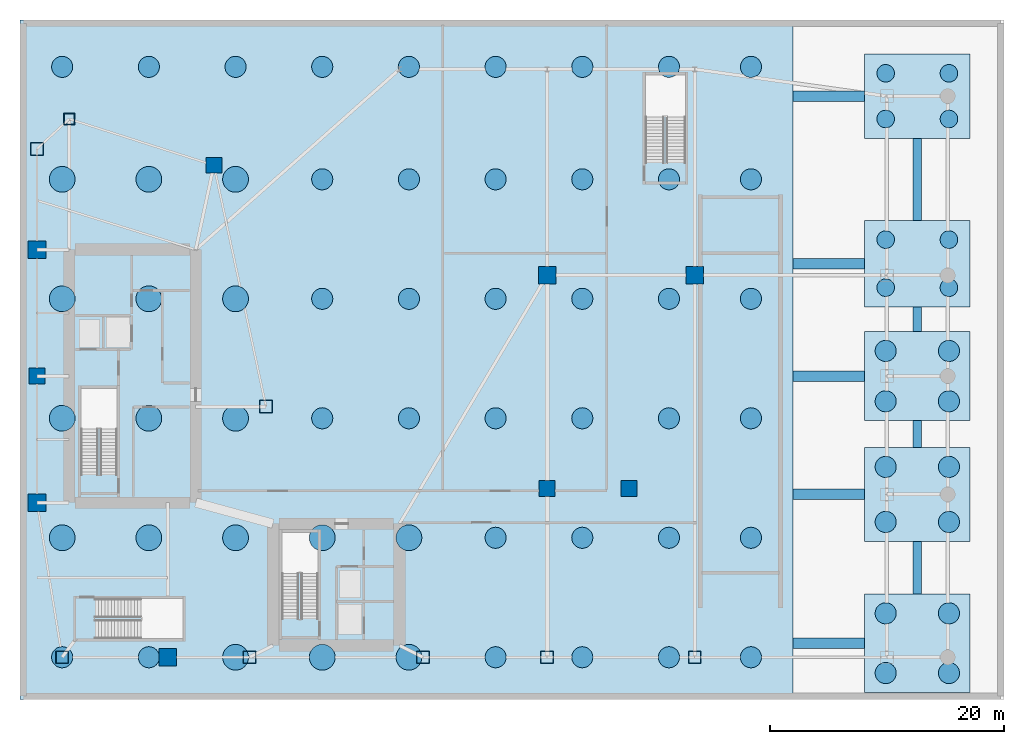
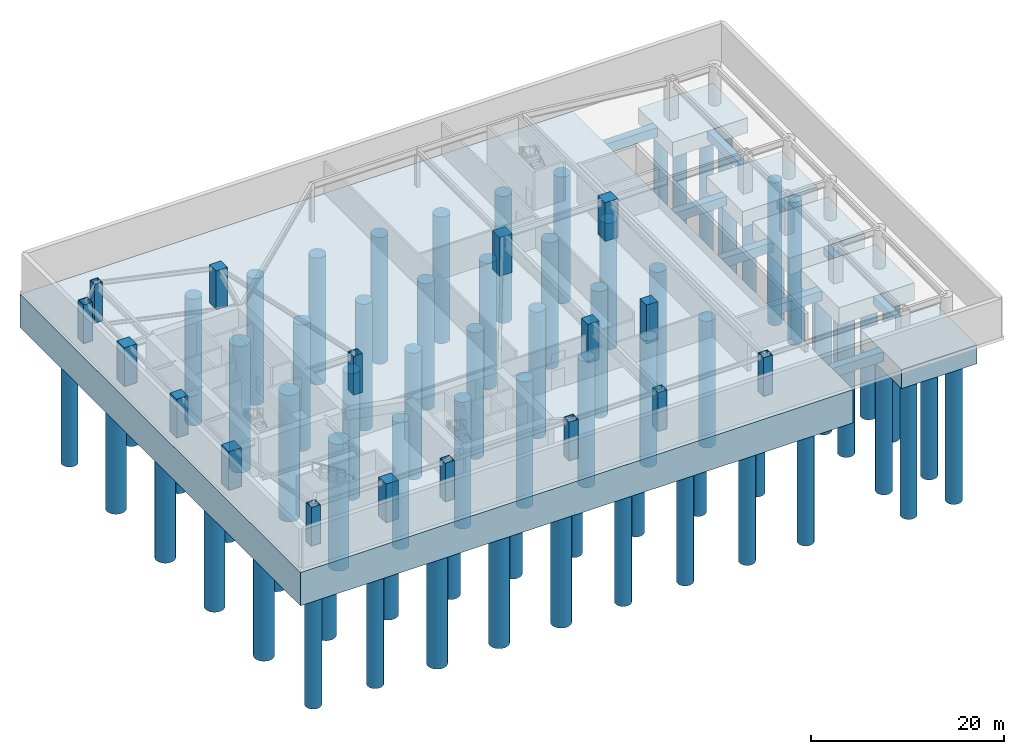
# One storey, part 1 of 12: 74 piles, 17 columns, 15 footings.
"""IFC4 building model written with IfcOpenShell, lengths in metres."""

from ifc_helpers import new_model, si_unit, direction, frame, origin, origin_2d, place, context, subcontext, project, spatial, polyline, rectangle, hollow_rectangle, circle, outline, extrude, material, material_profile, profile_set, type_object, element, save


model = new_model("IFC4")

# Units and contexts
model_context = context("Model", 3, precision=1e-05, world=origin(), true_north=direction((0.0, 1.0)))
body_context = subcontext(model_context, "Body", "Model", "MODEL_VIEW")
ifc_project = project(units=[si_unit("LENGTHUNIT", "METRE"), si_unit("AREAUNIT", "SQUARE_METRE"), si_unit("VOLUMEUNIT", "CUBIC_METRE"), si_unit("PLANEANGLEUNIT", "RADIAN"), si_unit("MASSUNIT", "GRAM", prefix="KILO")], contexts=[model_context])

# Site, building, storey
site_placement = place(None, origin())
site = spatial("IfcSite", under=ifc_project, at=site_placement, CompositionType="ELEMENT")
building_placement = place(site_placement, origin())
building = spatial("IfcBuilding", under=site, at=building_placement, Name="Calvorn Quay Hotel", CompositionType="ELEMENT")
storey_placement = place(building_placement, frame((0.0, 0.0, -10.39990234375)))
storey = spatial("IfcBuildingStorey", under=building, at=storey_placement, Name="B2", CompositionType="ELEMENT", Elevation=-10.39990234375)

# Footings
ifc_material_1 = material(Name="Concrete C45", Category="concrete")
ifc_material_profile_1 = material_profile(ifc_material_1, rectangle(XDim=0.75, YDim=1.0, at=origin_2d()), Name="FTB750x1000")
ifc_profile_set_1 = profile_set([ifc_material_profile_1], Name="Concrete C45")
footing_type_1 = type_object("IfcFootingType", Name="FT-BEAM-750x1000", PredefinedType="FOOTING_BEAM", material=ifc_profile_set_1)
footing_1_placement = place(storey_placement, frame((76.60009765625, 9.0, -0.900146484375), z_axis=(0.0, 1.0, 0.0), x_axis=(-1.0, 0.0, 0.0)))
element("IfcFooting", 1, at=footing_1_placement, inside=storey, type_object=footing_type_1, Name="Foundation Tie Beam FTB-06", PredefinedType="FOOTING_BEAM", context=body_context, shape_type="SweptSolid", body=[
    extrude(rectangle(XDim=0.75, YDim=1.0, at=origin_2d()), origin(), (0.0, 0.0, 1.0), 4.5),
])
footing_2_placement = place(storey_placement, frame((76.60009765625, 21.5, -0.900146484375), z_axis=(0.0, 1.0, 0.0), x_axis=(-1.0, 0.0, 0.0)))
element("IfcFooting", 2, at=footing_2_placement, inside=storey, type_object=footing_type_1, Name="Foundation Tie Beam FTB-07", PredefinedType="FOOTING_BEAM", context=body_context, shape_type="SweptSolid", body=[
    extrude(rectangle(XDim=0.75, YDim=1.0, at=origin_2d()), origin(), (0.0, 0.0, 1.0), 2.300048828125),
])
footing_3_placement = place(storey_placement, frame((76.60009765625, 31.39990234375, -0.900146484375), z_axis=(0.0, 1.0, 0.0), x_axis=(-1.0, 0.0, 0.0)))
element("IfcFooting", 3, at=footing_3_placement, inside=storey, type_object=footing_type_1, Name="Foundation Tie Beam FTB-08", PredefinedType="FOOTING_BEAM", context=body_context, shape_type="SweptSolid", body=[
    extrude(rectangle(XDim=0.75, YDim=1.0, at=origin_2d()), origin(), (0.0, 0.0, 1.0), 2.10009765625),
])
footing_4_placement = place(storey_placement, frame((76.60009765625, 40.89990234375, -0.900146484375), z_axis=(0.0, 1.0, 0.0), x_axis=(-1.0, 0.0, 0.0)))
element("IfcFooting", 4, at=footing_4_placement, inside=storey, type_object=footing_type_1, Name="Foundation Tie Beam FTB-09", PredefinedType="FOOTING_BEAM", context=body_context, shape_type="SweptSolid", body=[
    extrude(rectangle(XDim=0.75, YDim=1.0, at=origin_2d()), origin(), (0.0, 0.0, 1.0), 7.0),
])
ifc_material_2 = material(Name="Concrete C45", Category="concrete")
ifc_material_profile_2 = material_profile(ifc_material_2, rectangle(XDim=0.89990234375, YDim=1.199951171875, at=origin_2d()), Name="FTB900x1200")
ifc_profile_set_2 = profile_set([ifc_material_profile_2], Name="Concrete C45")
footing_type_2 = type_object("IfcFootingType", Name="FT-BEAM-900x1200", PredefinedType="FOOTING_BEAM", material=ifc_profile_set_2)
for number, where, z_axis, x_axis, name in (
    (5, (66.0, 4.800048828125, -1.0), (1.0, 0.0, 0.0), (0.0, 1.0, 0.0), "Foundation Tie Beam FTB-01"),
    (6, (66.0, 17.5, -1.0), (1.0, 0.0, 0.0), (0.0, 1.0, 0.0), "Foundation Tie Beam FTB-02"),
    (7, (66.0, 27.60009765625, -1.0), (1.0, 0.0, 0.0), (0.0, 1.0, 0.0), "Foundation Tie Beam FTB-03"),
    (8, (66.0, 37.199951171875, -1.0), (1.0, 0.0, 0.0), (0.0, 1.0, 0.0), "Foundation Tie Beam FTB-04"),
    (9, (66.0, 51.5, -1.0), (1.0, 0.0, 0.0), (0.0, 1.0, 0.0), "Foundation Tie Beam FTB-05"),
):
    element("IfcFooting", number, at=place(storey_placement, frame(where, z_axis=z_axis, x_axis=x_axis)), inside=storey, type_object=footing_type_2, Name=name, PredefinedType="FOOTING_BEAM", context=body_context, shape_type="SweptSolid", body=[
        extrude(rectangle(XDim=0.89990234375, YDim=1.199951171875, at=origin_2d()), origin(), (0.0, 0.0, 1.0), 6.10009765625),
    ])
ifc_material_3 = material(Name="Concrete C45", Category="concrete")
footing_type_3 = type_object("IfcFootingType", Name="FT-MAT-TWR", PredefinedType="PILE_CAP", material=ifc_material_3)
footing_5_placement = place(storey_placement, frame((0.0, 0.0, -4.60009765625)))
element("IfcFooting", 10, at=footing_5_placement, inside=storey, type_object=footing_type_3, Name="Tower Piled-Raft Foundation Mat", PredefinedType="PILE_CAP", context=body_context, shape_type="SweptSolid", body=[
    extrude(outline(polyline([(0.0, 0.0), (66.0, 0.0), (66.0, 58.0), (0.0, 58.0), (0.0, 0.0)])), origin(), (0.0, 0.0, 1.0), 4.199951171875),
])
ifc_material_4 = material(Name="Concrete C45", Category="concrete")
footing_type_4 = type_object("IfcFootingType", Name="FT-PC-POD1", PredefinedType="PILE_CAP", material=ifc_material_4)
footing_6_placement = place(storey_placement, frame((76.60009765625, 4.800048828125, -2.800048828125), z_axis=(0.0, 0.0, 1.0), x_axis=(1.0, 0.0, 0.0)))
element("IfcFooting", 11, at=footing_6_placement, inside=storey, type_object=footing_type_4, Name="Podium Pile Cap FPC1", PredefinedType="PILE_CAP", context=body_context, shape_type="SweptSolid", body=[
    extrude(rectangle(XDim=9.0, YDim=8.39990234375, at=origin_2d()), origin(), (0.0, 0.0, 1.0), 2.39990234375),
])
ifc_material_5 = material(Name="Concrete C45", Category="concrete")
footing_type_5 = type_object("IfcFootingType", Name="FT-PC-POD2", PredefinedType="PILE_CAP", material=ifc_material_5)
footing_7_placement = place(storey_placement, frame((76.60009765625, 17.5, -2.60009765625), z_axis=(0.0, 0.0, 1.0), x_axis=(1.0, 0.0, 0.0)))
element("IfcFooting", 12, at=footing_7_placement, inside=storey, type_object=footing_type_5, Name="Podium Pile Cap FPC2", PredefinedType="PILE_CAP", context=body_context, shape_type="SweptSolid", body=[
    extrude(rectangle(XDim=9.0, YDim=8.0, at=origin_2d()), origin(), (0.0, 0.0, 1.0), 2.199951171875),
])
ifc_material_6 = material(Name="Concrete C45", Category="concrete")
footing_type_6 = type_object("IfcFootingType", Name="FT-PC-POD3", PredefinedType="PILE_CAP", material=ifc_material_6)
footing_8_placement = place(storey_placement, frame((76.60009765625, 27.60009765625, -2.500244140625), z_axis=(0.0, 0.0, 1.0), x_axis=(1.0, 0.0, 0.0)))
element("IfcFooting", 13, at=footing_8_placement, inside=storey, type_object=footing_type_6, Name="Podium Pile Cap FPC3", PredefinedType="PILE_CAP", context=body_context, shape_type="SweptSolid", body=[
    extrude(rectangle(XDim=9.0, YDim=7.60009765625, at=origin_2d()), origin(), (0.0, 0.0, 1.0), 2.10009765625),
])
ifc_material_7 = material(Name="Concrete C45", Category="concrete")
footing_type_7 = type_object("IfcFootingType", Name="FT-PC-POD4", PredefinedType="PILE_CAP", material=ifc_material_7)
footing_9_placement = place(storey_placement, frame((76.60009765625, 37.199951171875, -2.400146484375), z_axis=(0.0, 0.0, 1.0), x_axis=(1.0, 0.0, 0.0)))
element("IfcFooting", 14, at=footing_9_placement, inside=storey, type_object=footing_type_7, Name="Podium Pile Cap FPC4", PredefinedType="PILE_CAP", context=body_context, shape_type="SweptSolid", body=[
    extrude(rectangle(XDim=9.0, YDim=7.39990234375, at=origin_2d()), origin(), (0.0, 0.0, 1.0), 2.0),
])
ifc_material_8 = material(Name="Concrete C45", Category="concrete")
footing_type_8 = type_object("IfcFootingType", Name="FT-PC-POD5", PredefinedType="PILE_CAP", material=ifc_material_8)
footing_10_placement = place(storey_placement, frame((76.60009765625, 51.5, -2.300048828125), z_axis=(0.0, 0.0, 1.0), x_axis=(1.0, 0.0, 0.0)))
element("IfcFooting", 15, at=footing_10_placement, inside=storey, type_object=footing_type_8, Name="Podium Pile Cap FPC5", PredefinedType="PILE_CAP", context=body_context, shape_type="SweptSolid", body=[
    extrude(rectangle(XDim=9.0, YDim=7.199951171875, at=origin_2d()), origin(), (0.0, 0.0, 1.0), 1.89990234375),
])

# Piles
ifc_material_9 = material(Name="Concrete C45", Category="concrete")
ifc_material_profile_3 = material_profile(ifc_material_9, circle(Radius=0.75, at=origin_2d()), Name="PILE-D1500")
ifc_profile_set_3 = profile_set([ifc_material_profile_3], Name="Concrete C45")
pile_type_1 = type_object("IfcPileType", Name="PILE-BORED-D1500", PredefinedType="BORED", material=ifc_profile_set_3)
for number, where, z_axis, x_axis, name in (
    (16, (73.89990234375, 35.14990234375, -2.25), (0.0, 0.0, -1.0), (1.0, 0.0, 0.0), "Podium Bored Pile P-P13"),
    (17, (73.89990234375, 39.25, -2.25), (0.0, 0.0, -1.0), (1.0, 0.0, 0.0), "Podium Bored Pile P-P14"),
    (18, (79.300048828125, 35.14990234375, -2.25), (0.0, 0.0, -1.0), (1.0, 0.0, 0.0), "Podium Bored Pile P-P15"),
    (19, (79.300048828125, 39.25, -2.25), (0.0, 0.0, -1.0), (1.0, 0.0, 0.0), "Podium Bored Pile P-P16"),
):
    element("IfcPile", number, at=place(storey_placement, frame(where, z_axis=z_axis, x_axis=x_axis)), inside=storey, type_object=pile_type_1, Name=name, PredefinedType="BORED", context=body_context, shape_type="SweptSolid", body=[
        extrude(circle(Radius=0.75, at=origin_2d()), origin(), (0.0, 0.0, 1.0), 18.050048828125),
    ])
for number, where, z_axis, x_axis, name in (
    (20, (73.89990234375, 49.550048828125, -2.150146484375), (0.0, 0.0, -1.0), (1.0, 0.0, 0.0), "Podium Bored Pile P-P17"),
    (21, (73.89990234375, 53.449951171875, -2.150146484375), (0.0, 0.0, -1.0), (1.0, 0.0, 0.0), "Podium Bored Pile P-P18"),
    (22, (79.300048828125, 49.550048828125, -2.150146484375), (0.0, 0.0, -1.0), (1.0, 0.0, 0.0), "Podium Bored Pile P-P19"),
    (23, (79.300048828125, 53.449951171875, -2.150146484375), (0.0, 0.0, -1.0), (1.0, 0.0, 0.0), "Podium Bored Pile P-P20"),
):
    element("IfcPile", number, at=place(storey_placement, frame(where, z_axis=z_axis, x_axis=x_axis)), inside=storey, type_object=pile_type_1, Name=name, PredefinedType="BORED", context=body_context, shape_type="SweptSolid", body=[
        extrude(circle(Radius=0.75, at=origin_2d()), origin(), (0.0, 0.0, 1.0), 18.14990234375),
    ])
ifc_material_10 = material(Name="Concrete C45", Category="concrete")
ifc_material_profile_4 = material_profile(ifc_material_10, circle(Radius=0.89990234375, at=origin_2d()), Name="PILE-D1800")
ifc_profile_set_4 = profile_set([ifc_material_profile_4], Name="Concrete C45")
pile_type_2 = type_object("IfcPileType", Name="PILE-BORED-D1800", PredefinedType="BORED", material=ifc_profile_set_4)
for number, where, z_axis, x_axis, name in (
    (24, (3.60009765625, 3.60009765625, -4.4501953125), (0.0, 0.0, -1.0), (1.0, 0.0, 0.0), "Rock-Socketed Bored Pile P-T01"),
    (25, (3.60009765625, 54.0, -4.4501953125), (0.0, 0.0, -1.0), (1.0, 0.0, 0.0), "Rock-Socketed Bored Pile P-T06"),
    (26, (11.0, 3.60009765625, -4.4501953125), (0.0, 0.0, -1.0), (1.0, 0.0, 0.0), "Rock-Socketed Bored Pile P-T07"),
    (27, (11.0, 54.0, -4.4501953125), (0.0, 0.0, -1.0), (1.0, 0.0, 0.0), "Rock-Socketed Bored Pile P-T12"),
    (28, (18.39990234375, 54.0, -4.4501953125), (0.0, 0.0, -1.0), (1.0, 0.0, 0.0), "Rock-Socketed Bored Pile P-T18"),
    (29, (25.800048828125, 24.0, -4.4501953125), (0.0, 0.0, -1.0), (1.0, 0.0, 0.0), "Rock-Socketed Bored Pile P-T21"),
    (30, (25.800048828125, 34.199951171875, -4.4501953125), (0.0, 0.0, -1.0), (1.0, 0.0, 0.0), "Rock-Socketed Bored Pile P-T22"),
    (31, (25.800048828125, 44.39990234375, -4.4501953125), (0.0, 0.0, -1.0), (1.0, 0.0, 0.0), "Rock-Socketed Bored Pile P-T23"),
    (32, (25.800048828125, 54.0, -4.4501953125), (0.0, 0.0, -1.0), (1.0, 0.0, 0.0), "Rock-Socketed Bored Pile P-T24"),
    (33, (33.199951171875, 24.0, -4.4501953125), (0.0, 0.0, -1.0), (1.0, 0.0, 0.0), "Rock-Socketed Bored Pile P-T27"),
    (34, (33.199951171875, 34.199951171875, -4.4501953125), (0.0, 0.0, -1.0), (1.0, 0.0, 0.0), "Rock-Socketed Bored Pile P-T28"),
    (35, (33.199951171875, 44.39990234375, -4.4501953125), (0.0, 0.0, -1.0), (1.0, 0.0, 0.0), "Rock-Socketed Bored Pile P-T29"),
    (36, (33.199951171875, 54.0, -4.4501953125), (0.0, 0.0, -1.0), (1.0, 0.0, 0.0), "Rock-Socketed Bored Pile P-T30"),
    (37, (40.60009765625, 3.60009765625, -4.4501953125), (0.0, 0.0, -1.0), (1.0, 0.0, 0.0), "Rock-Socketed Bored Pile P-T31"),
    (38, (40.60009765625, 13.800048828125, -4.4501953125), (0.0, 0.0, -1.0), (1.0, 0.0, 0.0), "Rock-Socketed Bored Pile P-T32"),
    (39, (40.60009765625, 24.0, -4.4501953125), (0.0, 0.0, -1.0), (1.0, 0.0, 0.0), "Rock-Socketed Bored Pile P-T33"),
    (40, (40.60009765625, 34.199951171875, -4.4501953125), (0.0, 0.0, -1.0), (1.0, 0.0, 0.0), "Rock-Socketed Bored Pile P-T34"),
    (41, (40.60009765625, 44.39990234375, -4.4501953125), (0.0, 0.0, -1.0), (1.0, 0.0, 0.0), "Rock-Socketed Bored Pile P-T35"),
    (42, (40.60009765625, 54.0, -4.4501953125), (0.0, 0.0, -1.0), (1.0, 0.0, 0.0), "Rock-Socketed Bored Pile P-T36"),
    (43, (48.0, 3.60009765625, -4.4501953125), (0.0, 0.0, -1.0), (1.0, 0.0, 0.0), "Rock-Socketed Bored Pile P-T37"),
    (44, (48.0, 13.800048828125, -4.4501953125), (0.0, 0.0, -1.0), (1.0, 0.0, 0.0), "Rock-Socketed Bored Pile P-T38"),
    (45, (48.0, 24.0, -4.4501953125), (0.0, 0.0, -1.0), (1.0, 0.0, 0.0), "Rock-Socketed Bored Pile P-T39"),
    (46, (48.0, 34.199951171875, -4.4501953125), (0.0, 0.0, -1.0), (1.0, 0.0, 0.0), "Rock-Socketed Bored Pile P-T40"),
    (47, (48.0, 44.39990234375, -4.4501953125), (0.0, 0.0, -1.0), (1.0, 0.0, 0.0), "Rock-Socketed Bored Pile P-T41"),
    (48, (48.0, 54.0, -4.4501953125), (0.0, 0.0, -1.0), (1.0, 0.0, 0.0), "Rock-Socketed Bored Pile P-T42"),
    (49, (55.39990234375, 3.60009765625, -4.4501953125), (0.0, 0.0, -1.0), (1.0, 0.0, 0.0), "Rock-Socketed Bored Pile P-T43"),
    (50, (55.39990234375, 13.800048828125, -4.4501953125), (0.0, 0.0, -1.0), (1.0, 0.0, 0.0), "Rock-Socketed Bored Pile P-T44"),
    (51, (55.39990234375, 24.0, -4.4501953125), (0.0, 0.0, -1.0), (1.0, 0.0, 0.0), "Rock-Socketed Bored Pile P-T45"),
    (52, (55.39990234375, 34.199951171875, -4.4501953125), (0.0, 0.0, -1.0), (1.0, 0.0, 0.0), "Rock-Socketed Bored Pile P-T46"),
    (53, (55.39990234375, 44.39990234375, -4.4501953125), (0.0, 0.0, -1.0), (1.0, 0.0, 0.0), "Rock-Socketed Bored Pile P-T47"),
    (54, (55.39990234375, 54.0, -4.4501953125), (0.0, 0.0, -1.0), (1.0, 0.0, 0.0), "Rock-Socketed Bored Pile P-T48"),
    (55, (62.39990234375, 3.60009765625, -4.4501953125), (0.0, 0.0, -1.0), (1.0, 0.0, 0.0), "Rock-Socketed Bored Pile P-T49"),
    (56, (62.39990234375, 13.800048828125, -4.4501953125), (0.0, 0.0, -1.0), (1.0, 0.0, 0.0), "Rock-Socketed Bored Pile P-T50"),
    (57, (62.39990234375, 24.0, -4.4501953125), (0.0, 0.0, -1.0), (1.0, 0.0, 0.0), "Rock-Socketed Bored Pile P-T51"),
    (58, (62.39990234375, 34.199951171875, -4.4501953125), (0.0, 0.0, -1.0), (1.0, 0.0, 0.0), "Rock-Socketed Bored Pile P-T52"),
    (59, (62.39990234375, 44.39990234375, -4.4501953125), (0.0, 0.0, -1.0), (1.0, 0.0, 0.0), "Rock-Socketed Bored Pile P-T53"),
    (60, (62.39990234375, 54.0, -4.4501953125), (0.0, 0.0, -1.0), (1.0, 0.0, 0.0), "Rock-Socketed Bored Pile P-T54"),
):
    element("IfcPile", number, at=place(storey_placement, frame(where, z_axis=z_axis, x_axis=x_axis)), inside=storey, type_object=pile_type_2, Name=name, PredefinedType="BORED", context=body_context, shape_type="SweptSolid", body=[
        extrude(circle(Radius=0.89990234375, at=origin_2d()), origin(), (0.0, 0.0, 1.0), 16.0),
    ])
for number, where, z_axis, x_axis, name in (
    (61, (73.89990234375, 2.25, -2.650146484375), (0.0, 0.0, -1.0), (1.0, 0.0, 0.0), "Podium Bored Pile P-P01"),
    (62, (73.89990234375, 7.35009765625, -2.650146484375), (0.0, 0.0, -1.0), (1.0, 0.0, 0.0), "Podium Bored Pile P-P02"),
    (63, (79.300048828125, 2.25, -2.650146484375), (0.0, 0.0, -1.0), (1.0, 0.0, 0.0), "Podium Bored Pile P-P03"),
    (64, (79.300048828125, 7.35009765625, -2.650146484375), (0.0, 0.0, -1.0), (1.0, 0.0, 0.0), "Podium Bored Pile P-P04"),
):
    element("IfcPile", number, at=place(storey_placement, frame(where, z_axis=z_axis, x_axis=x_axis)), inside=storey, type_object=pile_type_2, Name=name, PredefinedType="BORED", context=body_context, shape_type="SweptSolid", body=[
        extrude(circle(Radius=0.89990234375, at=origin_2d()), origin(), (0.0, 0.0, 1.0), 17.64990234375),
    ])
for number, where, z_axis, x_axis, name in (
    (65, (73.89990234375, 15.14990234375, -2.4501953125), (0.0, 0.0, -1.0), (1.0, 0.0, 0.0), "Podium Bored Pile P-P05"),
    (66, (73.89990234375, 19.85009765625, -2.4501953125), (0.0, 0.0, -1.0), (1.0, 0.0, 0.0), "Podium Bored Pile P-P06"),
    (67, (79.300048828125, 15.14990234375, -2.4501953125), (0.0, 0.0, -1.0), (1.0, 0.0, 0.0), "Podium Bored Pile P-P07"),
    (68, (79.300048828125, 19.85009765625, -2.4501953125), (0.0, 0.0, -1.0), (1.0, 0.0, 0.0), "Podium Bored Pile P-P08"),
):
    element("IfcPile", number, at=place(storey_placement, frame(where, z_axis=z_axis, x_axis=x_axis)), inside=storey, type_object=pile_type_2, Name=name, PredefinedType="BORED", context=body_context, shape_type="SweptSolid", body=[
        extrude(circle(Radius=0.89990234375, at=origin_2d()), origin(), (0.0, 0.0, 1.0), 17.85009765625),
    ])
for number, where, z_axis, x_axis, name in (
    (69, (73.89990234375, 25.449951171875, -2.35009765625), (0.0, 0.0, -1.0), (1.0, 0.0, 0.0), "Podium Bored Pile P-P09"),
    (70, (73.89990234375, 29.75, -2.35009765625), (0.0, 0.0, -1.0), (1.0, 0.0, 0.0), "Podium Bored Pile P-P10"),
    (71, (79.300048828125, 25.449951171875, -2.35009765625), (0.0, 0.0, -1.0), (1.0, 0.0, 0.0), "Podium Bored Pile P-P11"),
    (72, (79.300048828125, 29.75, -2.35009765625), (0.0, 0.0, -1.0), (1.0, 0.0, 0.0), "Podium Bored Pile P-P12"),
):
    element("IfcPile", number, at=place(storey_placement, frame(where, z_axis=z_axis, x_axis=x_axis)), inside=storey, type_object=pile_type_2, Name=name, PredefinedType="BORED", context=body_context, shape_type="SweptSolid", body=[
        extrude(circle(Radius=0.89990234375, at=origin_2d()), origin(), (0.0, 0.0, 1.0), 17.949951171875),
    ])
ifc_material_11 = material(Name="Concrete C45", Category="concrete")
ifc_material_profile_5 = material_profile(ifc_material_11, circle(Radius=1.10009765625, at=origin_2d()), Name="PILE-D2200")
ifc_profile_set_5 = profile_set([ifc_material_profile_5], Name="Concrete C45")
pile_type_3 = type_object("IfcPileType", Name="PILE-BORED-D2200", PredefinedType="BORED", material=ifc_profile_set_5)
for number, where, z_axis, x_axis, name in (
    (73, (3.60009765625, 13.800048828125, -4.4501953125), (0.0, 0.0, -1.0), (1.0, 0.0, 0.0), "Rock-Socketed Bored Pile P-T02"),
    (74, (3.60009765625, 24.0, -4.4501953125), (0.0, 0.0, -1.0), (1.0, 0.0, 0.0), "Rock-Socketed Bored Pile P-T03"),
    (75, (3.60009765625, 34.199951171875, -4.4501953125), (0.0, 0.0, -1.0), (1.0, 0.0, 0.0), "Rock-Socketed Bored Pile P-T04"),
    (76, (3.60009765625, 44.39990234375, -4.4501953125), (0.0, 0.0, -1.0), (1.0, 0.0, 0.0), "Rock-Socketed Bored Pile P-T05"),
    (77, (11.0, 13.800048828125, -4.4501953125), (0.0, 0.0, -1.0), (1.0, 0.0, 0.0), "Rock-Socketed Bored Pile P-T08"),
    (78, (11.0, 24.0, -4.4501953125), (0.0, 0.0, -1.0), (1.0, 0.0, 0.0), "Rock-Socketed Bored Pile P-T09"),
    (79, (11.0, 34.199951171875, -4.4501953125), (0.0, 0.0, -1.0), (1.0, 0.0, 0.0), "Rock-Socketed Bored Pile P-T10"),
    (80, (11.0, 44.39990234375, -4.4501953125), (0.0, 0.0, -1.0), (1.0, 0.0, 0.0), "Rock-Socketed Bored Pile P-T11"),
    (81, (18.39990234375, 3.60009765625, -4.4501953125), (0.0, 0.0, -1.0), (1.0, 0.0, 0.0), "Rock-Socketed Bored Pile P-T13"),
    (82, (18.39990234375, 13.800048828125, -4.4501953125), (0.0, 0.0, -1.0), (1.0, 0.0, 0.0), "Rock-Socketed Bored Pile P-T14"),
    (83, (18.39990234375, 24.0, -4.4501953125), (0.0, 0.0, -1.0), (1.0, 0.0, 0.0), "Rock-Socketed Bored Pile P-T15"),
    (84, (18.39990234375, 34.199951171875, -4.4501953125), (0.0, 0.0, -1.0), (1.0, 0.0, 0.0), "Rock-Socketed Bored Pile P-T16"),
    (85, (18.39990234375, 44.39990234375, -4.4501953125), (0.0, 0.0, -1.0), (1.0, 0.0, 0.0), "Rock-Socketed Bored Pile P-T17"),
    (86, (25.800048828125, 3.60009765625, -4.4501953125), (0.0, 0.0, -1.0), (1.0, 0.0, 0.0), "Rock-Socketed Bored Pile P-T19"),
    (87, (25.800048828125, 13.800048828125, -4.4501953125), (0.0, 0.0, -1.0), (1.0, 0.0, 0.0), "Rock-Socketed Bored Pile P-T20"),
    (88, (33.199951171875, 3.60009765625, -4.4501953125), (0.0, 0.0, -1.0), (1.0, 0.0, 0.0), "Rock-Socketed Bored Pile P-T25"),
    (89, (33.199951171875, 13.800048828125, -4.4501953125), (0.0, 0.0, -1.0), (1.0, 0.0, 0.0), "Rock-Socketed Bored Pile P-T26"),
):
    element("IfcPile", number, at=place(storey_placement, frame(where, z_axis=z_axis, x_axis=x_axis)), inside=storey, type_object=pile_type_3, Name=name, PredefinedType="BORED", context=body_context, shape_type="SweptSolid", body=[
        extrude(circle(Radius=1.10009765625, at=origin_2d()), origin(), (0.0, 0.0, 1.0), 16.0),
    ])

# Columns
ifc_material_12 = material(Name="Concrete C60", Category="concrete")
ifc_material_profile_6 = material_profile(ifc_material_12, rectangle(XDim=1.35009765625, YDim=1.35009765625, at=origin_2d()), Name="RC1350x1350")
ifc_profile_set_6 = profile_set([ifc_material_profile_6], Name="Concrete C60")
column_type_1 = type_object("IfcColumnType", Name="COL-RC-1350", PredefinedType="COLUMN", material=ifc_profile_set_6)
for number, where, z_axis, x_axis, name in (
    (90, (1.449951171875, 27.60009765625, 0.0), (0.0, 0.0, 1.0), (1.0, 0.0, 0.0), "Column C-W3 (B2)"),
    (91, (16.550048828125, 45.60009765625, 0.0), (0.0, 0.0, 1.0), (1.0, 0.0, 0.0), "Column C-IC1 (B2)"),
    (92, (45.0, 18.0, 0.0), (0.0, 0.0, 1.0), (1.0, 0.0, 0.0), "Column C-BM1 (B2)"),
    (93, (52.0, 18.0, 0.0), (0.0, 0.0, 1.0), (1.0, 0.0, 0.0), "Column C-BM2 (B2)"),
):
    element("IfcColumn", number, at=place(storey_placement, frame(where, z_axis=z_axis, x_axis=x_axis)), inside=storey, type_object=column_type_1, Name=name, PredefinedType="COLUMN", context=body_context, shape_type="SweptSolid", body=[
        extrude(rectangle(XDim=1.35009765625, YDim=1.35009765625, at=origin_2d()), origin(), (0.0, 0.0, 1.0), 4.8798828125),
    ])
ifc_material_13 = material(Name="Concrete C60", Category="concrete")
ifc_material_profile_7 = material_profile(ifc_material_13, rectangle(XDim=1.5, YDim=1.5, at=origin_2d()), Name="RC1500x1500")
ifc_profile_set_7 = profile_set([ifc_material_profile_7], Name="Concrete C60")
column_type_2 = type_object("IfcColumnType", Name="COL-RC-1500", PredefinedType="COLUMN", material=ifc_profile_set_7)
for number, where, z_axis, x_axis, name in (
    (94, (1.449951171875, 16.800048828125, 0.0), (0.0, 0.0, 1.0), (1.0, 0.0, 0.0), "Column C-W2 (B2)"),
    (95, (1.449951171875, 38.39990234375, 0.0), (0.0, 0.0, 1.0), (1.0, 0.0, 0.0), "Column C-W4 (B2)"),
    (96, (12.60009765625, 3.60009765625, 0.0), (0.0, 0.0, 1.0), (1.0, 0.0, 0.0), "Column C-S1 (B2)"),
    (97, (45.0, 36.199951171875, 0.0), (0.0, 0.0, 1.0), (1.0, 0.0, 0.0), "Column C-PN1 (B2)"),
    (98, (57.60009765625, 36.199951171875, 0.0), (0.0, 0.0, 1.0), (1.0, 0.0, 0.0), "Column C-PN2 (B2)"),
):
    element("IfcColumn", number, at=place(storey_placement, frame(where, z_axis=z_axis, x_axis=x_axis)), inside=storey, type_object=column_type_2, Name=name, PredefinedType="COLUMN", context=body_context, shape_type="SweptSolid", body=[
        extrude(rectangle(XDim=1.5, YDim=1.5, at=origin_2d()), origin(), (0.0, 0.0, 1.0), 4.8798828125),
    ])
ifc_material_14 = material(Name="Steel Q420GJC", Category="steel")
ifc_material_profile_8 = material_profile(ifc_material_14, hollow_rectangle(XDim=1.10009765625, YDim=1.10009765625, WallThickness=0.044921875, at=origin_2d()), Name="BOX1100x1100x45")
ifc_profile_set_8 = profile_set([ifc_material_profile_8], Name="Steel Q420GJC")
column_type_3 = type_object("IfcColumnType", Name="COL-STL-MEGA1", PredefinedType="COLUMN", material=ifc_profile_set_8)
for number, where, z_axis, x_axis, name in (
    (99, (3.60009765625, 3.60009765625, 0.0), (0.0, 0.0, 1.0), (1.0, 0.0, 0.0), "Column C-W1 (B2)"),
    (100, (1.449951171875, 47.0, 0.0), (0.0, 0.0, 1.0), (1.0, 0.0, 0.0), "Column C-W5 (B2)"),
    (101, (21.0, 25.0, 0.0), (0.0, 0.0, 1.0), (1.0, 0.0, 0.0), "Column C-IC2 (B2)"),
    (102, (19.60009765625, 3.60009765625, 0.0), (0.0, 0.0, 1.0), (1.0, 0.0, 0.0), "Column C-S2 (B2)"),
    (103, (34.39990234375, 3.60009765625, 0.0), (0.0, 0.0, 1.0), (1.0, 0.0, 0.0), "Column C-S3 (B2)"),
    (104, (45.0, 3.60009765625, 0.0), (0.0, 0.0, 1.0), (1.0, 0.0, 0.0), "Column C-PS4 (B2)"),
    (105, (57.60009765625, 3.60009765625, 0.0), (0.0, 0.0, 1.0), (1.0, 0.0, 0.0), "Column C-PS5 (B2)"),
):
    element("IfcColumn", number, at=place(storey_placement, frame(where, z_axis=z_axis, x_axis=x_axis)), inside=storey, type_object=column_type_3, Name=name, PredefinedType="COLUMN", context=body_context, shape_type="SweptSolid", body=[
        extrude(hollow_rectangle(XDim=1.10009765625, YDim=1.10009765625, WallThickness=0.044921875, at=origin_2d()), origin(), (0.0, 0.0, 1.0), 4.8798828125),
    ])
ifc_material_15 = material(Name="Steel Q420GJC", Category="steel")
ifc_material_profile_9 = material_profile(ifc_material_15, hollow_rectangle(XDim=0.949951171875, YDim=0.949951171875, WallThickness=0.0400390625, at=origin_2d()), Name="BOX950x950x40")
ifc_profile_set_9 = profile_set([ifc_material_profile_9], Name="Steel Q420GJC")
column_type_4 = type_object("IfcColumnType", Name="COL-STL-MEGA2", PredefinedType="COLUMN", material=ifc_profile_set_9)
column_placement = place(storey_placement, frame((4.199951171875, 49.550048828125, 0.0), z_axis=(0.0, 0.0, 1.0), x_axis=(1.0, 0.0, 0.0)))
element("IfcColumn", 106, at=column_placement, inside=storey, type_object=column_type_4, Name="Column C-NW1 (B2)", PredefinedType="COLUMN", context=body_context, shape_type="SweptSolid", body=[
    extrude(hollow_rectangle(XDim=0.949951171875, YDim=0.949951171875, WallThickness=0.0400390625, at=origin_2d()), origin(), (0.0, 0.0, 1.0), 4.8798828125),
])

save(model, "model.ifc")
